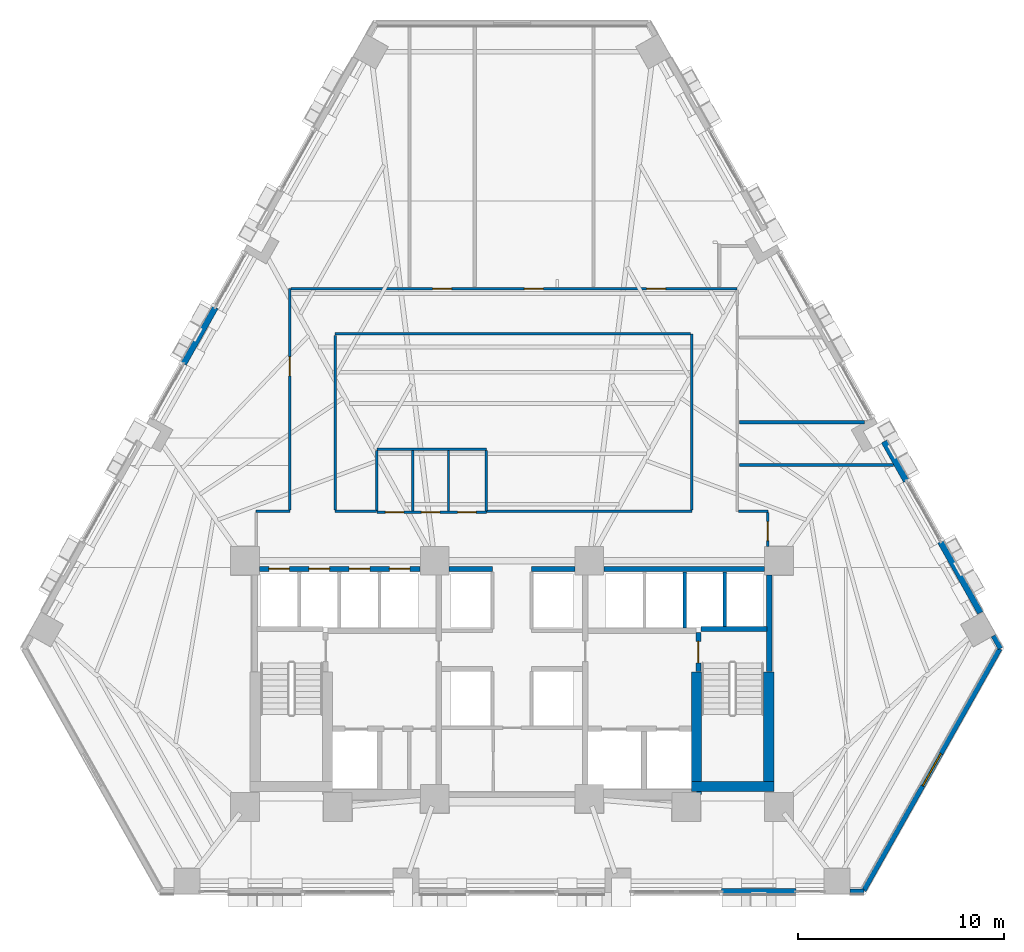
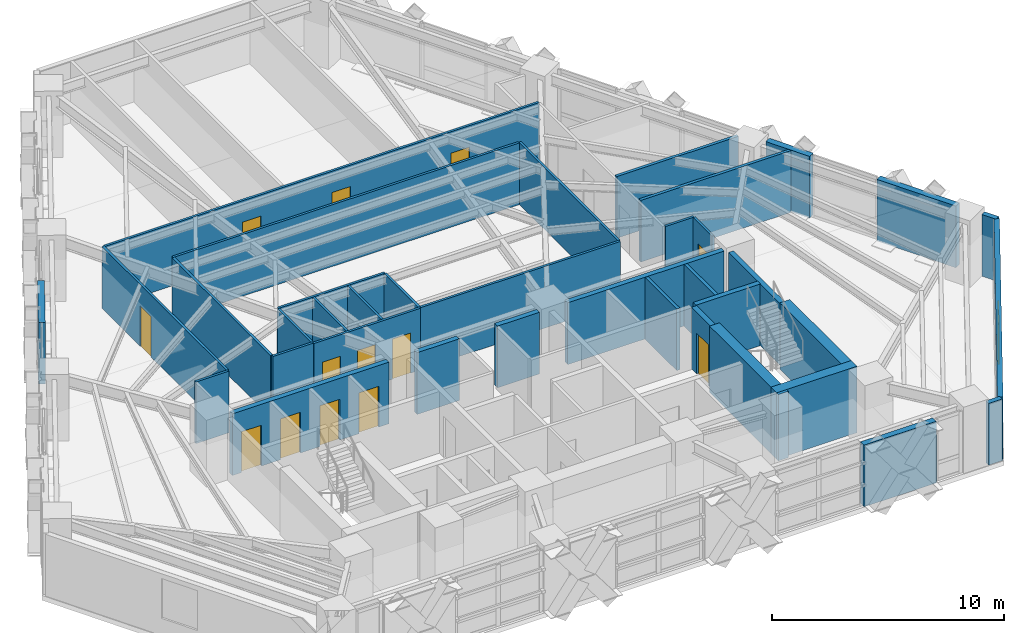
# One storey, part 8 of 13: 37 walls, 13 doors, 1 window, 14 openings.
"""IFC4 building model written with IfcOpenShell, lengths in metres."""

from ifc_helpers import new_model, si_unit, direction, frame, frame_2d, origin, place, context, subcontext, project, spatial, rectangle, extrude, material, layer, layer_set, type_object, element, fill, save


model = new_model("IFC4")

# Units and contexts
model_context = context("Model", 3, precision=1e-05, world=origin(), true_north=direction((0.0, 1.0)))
body_context = subcontext(model_context, "Body", "Model", "MODEL_VIEW")
ifc_project = project(units=[si_unit("LENGTHUNIT", "METRE"), si_unit("AREAUNIT", "SQUARE_METRE"), si_unit("VOLUMEUNIT", "CUBIC_METRE"), si_unit("PLANEANGLEUNIT", "RADIAN"), si_unit("MASSUNIT", "GRAM", prefix="KILO")], contexts=[model_context])

# Site, building, storey
site_placement = place(None, origin())
site = spatial("IfcSite", under=ifc_project, at=site_placement, CompositionType="ELEMENT")
building_placement = place(site_placement, origin())
building = spatial("IfcBuilding", under=site, at=building_placement, Name="Quenlor Broadcast Tower", CompositionType="ELEMENT")
storey_placement = place(building_placement, frame((0.0, 0.0, 31.10009765625)))
storey = spatial("IfcBuildingStorey", under=building, at=storey_placement, Name="L07", CompositionType="ELEMENT", Elevation=31.10009765625)

# Walls
ifc_material_1 = material(Name="Acoustic Double Stud Gypsum Partition", Category="other")
ifc_layer_1 = layer(ifc_material_1, 0.14990234375)
ifc_layer_set_1 = layer_set([ifc_layer_1], Name="Broadcast Studio Acoustic Partition 150")
wall_type_1 = type_object("IfcWallType", Name="Broadcast Studio Acoustic Partition 150", PredefinedType="PARTITIONING", material=ifc_layer_set_1)
wall_1_placement = place(storey_placement, frame((17.1064453125, 1.919921875, 0.0), z_axis=(0.0, 0.0, 1.0), x_axis=(-1.0, 0.0, 0.0)))
element("IfcWall", 1, at=wall_1_placement, inside=storey, type_object=wall_type_1, Name="L07 Interior Wall PW-DV-07", PredefinedType="PARTITIONING", context=body_context, shape_type="SweptSolid", body=[
    extrude(rectangle(XDim=6.071533203125, YDim=0.14990234375, at=frame_2d((3.03564453125, 0.0))), origin(), (0.0, 0.0, 1.0), 3.25),
])
wall_2_placement = place(storey_placement, frame((18.51416015625, -0.150390625, 0.0), z_axis=(0.0, 0.0, 1.0), x_axis=(-1.0, 0.0, 0.0)))
element("IfcWall", 2, at=wall_2_placement, inside=storey, type_object=wall_type_1, Name="L07 Interior Wall PW-DV-08", PredefinedType="PARTITIONING", context=body_context, shape_type="SweptSolid", body=[
    extrude(rectangle(XDim=7.479248046875, YDim=0.14990234375, at=frame_2d((3.73974609375, 0.0))), origin(), (0.0, 0.0, 1.0), 3.25),
])
ifc_material_2 = material(Name="Concrete C65/80", Category="concrete")
ifc_layer_2 = layer(ifc_material_2, 0.5)
ifc_layer_set_2 = layer_set([ifc_layer_2], Name="Core Concrete C65/80 Shear Wall 500")
wall_type_2 = type_object("IfcWallType", Name="Core Concrete C65/80 Shear Wall 500", PredefinedType="SHEAR", material=ifc_layer_set_2)
wall_3_placement = place(storey_placement, frame((8.699951171875, -15.75, 0.0), z_axis=(0.0, 0.0, 1.0), x_axis=(1.0, 0.0, 0.0)))
element("IfcWall", 3, at=wall_3_placement, inside=storey, type_object=wall_type_2, Name="L07 Core Shear Wall WS-E2", PredefinedType="SHEAR", context=body_context, shape_type="SweptSolid", body=[
    extrude(rectangle(XDim=4.0, YDim=0.5, at=frame_2d((2.0, 0.0))), origin(), (0.0, 0.0, 1.0), 3.5),
])
wall_4_placement = place(storey_placement, frame((12.449951171875, -15.75, 0.0), z_axis=(0.0, 0.0, 1.0), x_axis=(0.0, 1.0, 0.0)))
element("IfcWall", 4, at=wall_4_placement, inside=storey, type_object=wall_type_2, Name="L07 Core Shear Wall WF-E", PredefinedType="SHEAR", context=body_context, shape_type="SweptSolid", body=[
    extrude(rectangle(XDim=5.550048828125, YDim=0.5, at=frame_2d((2.77490234375, 0.0))), origin(), (0.0, 0.0, 1.0), 3.5),
])
wall_5_placement = place(storey_placement, frame((8.949951171875, -16.14990234375, 0.0), z_axis=(0.0, 0.0, 1.0), x_axis=(0.0, 1.0, 0.0)))
element("IfcWall", 5, at=wall_5_placement, inside=storey, type_object=wall_type_2, Name="L07 Core Shear Wall WI-E", PredefinedType="SHEAR", context=body_context, shape_type="SweptSolid", body=[
    extrude(rectangle(XDim=5.949951171875, YDim=0.5, at=frame_2d((2.97509765625, 0.0))), origin(), (0.0, 0.0, 1.0), 3.5),
])

# Wall, opening, door
ifc_material_3 = material(Name="Concrete C40/50", Category="concrete")
ifc_layer_3 = layer(ifc_material_3, 0.25)
ifc_layer_set_3 = layer_set([ifc_layer_3], Name="Fire Rated Concrete C40/50 Core Wall 250")
wall_type_3 = type_object("IfcWallType", Name="Fire Rated Concrete C40/50 Core Wall 250", PredefinedType="PARTITIONING", material=ifc_layer_set_3)
wall_6_placement = place(storey_placement, frame((9.0400390625, -10.179931640625, 0.0), z_axis=(0.0, 0.0, 1.0), x_axis=(0.0, 1.0, 0.0)))
wall_6 = element("IfcWall", 6, at=wall_6_placement, inside=storey, type_object=wall_type_3, Name="L07 Interior Wall CW-ST2-DR", PredefinedType="PARTITIONING", context=body_context, shape_type="SweptSolid", body=[
    extrude(rectangle(XDim=1.89990234375, YDim=0.25, at=frame_2d((0.949951171875, 0.0))), origin(), (0.0, 0.0, 1.0), 3.25),
])
opening_1_placement = place(wall_6_placement, frame((0.419921875, 0.0, 0.0)))
opening_1 = element("IfcOpeningElement", 7, at=opening_1_placement, cuts=wall_6, Name="Opening FD-1", PredefinedType="OPENING", context=body_context, shape_type="SweptSolid", body=[
    extrude(rectangle(XDim=1.050048828125, YDim=2.14990234375, at=frame_2d((0.52490234375, 1.074951171875))), frame((0.0, 0.135009765625, 0.0), z_axis=(0.0, -1.0, 0.0), x_axis=(1.0, 0.0, 0.0)), (0.0, 0.0, 1.0), 0.27001953125),
])
ifc_material_4 = material(Name="Fire Rated Steel Door Leaf", Category="steel")
door_type_1 = type_object("IfcDoorType", Name="Fire Isolated Stair Door 1050x2150", OperationType="NOTDEFINED", PredefinedType="DOOR", material=ifc_material_4)
door_1_placement = place(opening_1_placement, origin())
door_1 = element("IfcDoor", 8, at=door_1_placement, inside=storey, type_object=door_type_1, Name="L07 Door DR-ST2", OperationType="SINGLE_SWING_RIGHT", OverallHeight=2.14990234375, OverallWidth=1.050048828125, PredefinedType="DOOR", context=body_context, shape_type="SweptSolid", body=[
    extrude(rectangle(XDim=1.050048828125, YDim=2.14990234375, at=frame_2d((0.52490234375, 1.074951171875))), frame((0.0, 0.02490234375, 0.0), z_axis=(0.0, -1.0, 0.0), x_axis=(1.0, 0.0, 0.0)), (0.0, 0.0, 1.0), 0.050048828125),
])
fill(opening_1, door_1)

# Walls
wall_7_placement = place(storey_placement, frame((9.159912109375, -8.1201171875, 0.0), z_axis=(0.0, 0.0, 1.0), x_axis=(1.0, 0.0, 0.0)))
element("IfcWall", 9, at=wall_7_placement, inside=storey, type_object=wall_type_3, Name="L07 Interior Wall CW-ST2-N", PredefinedType="PARTITIONING", context=body_context, shape_type="SweptSolid", body=[
    extrude(rectangle(XDim=3.219970703125, YDim=0.25, at=frame_2d((1.60986328125, 0.0))), origin(), (0.0, 0.0, 1.0), 3.25),
])
wall_8_placement = place(storey_placement, frame((12.47998046875, -10.179931640625, 0.0), z_axis=(0.0, 0.0, 1.0), x_axis=(0.0, 1.0, 0.0)))
element("IfcWall", 10, at=wall_8_placement, inside=storey, type_object=wall_type_3, Name="L07 Interior Wall CW-ST2-E2", PredefinedType="PARTITIONING", context=body_context, shape_type="SweptSolid", body=[
    extrude(rectangle(XDim=4.677978515625, YDim=0.25, at=frame_2d((2.3388671875, 0.0))), origin(), (0.0, 0.0, 1.0), 3.25),
])

# Wall, openings, doors
wall_9_placement = place(storey_placement, frame((-12.248046875, -5.199951171875, 0.0), z_axis=(0.0, 0.0, 1.0), x_axis=(1.0, 0.0, 0.0)))
wall_9 = element("IfcWall", 11, at=wall_9_placement, inside=storey, type_object=wall_type_3, Name="L07 Interior Wall CW-N-W", PredefinedType="PARTITIONING", context=body_context, shape_type="SweptSolid", body=[
    extrude(rectangle(XDim=7.796142578125, YDim=0.25, at=frame_2d((3.89794921875, 0.0))), origin(), (0.0, 0.0, 1.0), 3.25),
])
opening_2_placement = place(wall_9_placement, frame((0.447998046875, 0.0, 0.0)))
opening_2 = element("IfcOpeningElement", 12, at=opening_2_placement, cuts=wall_9, Name="Opening LD-PL-L1", PredefinedType="OPENING", context=body_context, shape_type="SweptSolid", body=[
    extrude(rectangle(XDim=1.0, YDim=2.14990234375, at=frame_2d((0.5, 1.074951171875))), frame((0.0, 0.135009765625, 0.0), z_axis=(0.0, -1.0, 0.0), x_axis=(1.0, 0.0, 0.0)), (0.0, 0.0, 1.0), 0.27001953125),
])
opening_3_placement = place(wall_9_placement, frame((2.39794921875, 0.0, 0.0)))
opening_3 = element("IfcOpeningElement", 13, at=opening_3_placement, cuts=wall_9, Name="Opening LD-PL-L2", PredefinedType="OPENING", context=body_context, shape_type="SweptSolid", body=[
    extrude(rectangle(XDim=1.0, YDim=2.14990234375, at=frame_2d((0.5, 1.074951171875))), frame((0.0, 0.135009765625, 0.0), z_axis=(0.0, -1.0, 0.0), x_axis=(1.0, 0.0, 0.0)), (0.0, 0.0, 1.0), 0.27001953125),
])
opening_4_placement = place(wall_9_placement, frame((4.347900390625, 0.0, 0.0)))
opening_4 = element("IfcOpeningElement", 14, at=opening_4_placement, cuts=wall_9, Name="Opening LD-PL-L3", PredefinedType="OPENING", context=body_context, shape_type="SweptSolid", body=[
    extrude(rectangle(XDim=1.0, YDim=2.14990234375, at=frame_2d((0.5, 1.074951171875))), frame((0.0, 0.135009765625, 0.0), z_axis=(0.0, -1.0, 0.0), x_axis=(1.0, 0.0, 0.0)), (0.0, 0.0, 1.0), 0.27001953125),
])
opening_5_placement = place(wall_9_placement, frame((6.298095703125, 0.0, 0.0)))
opening_5 = element("IfcOpeningElement", 15, at=opening_5_placement, cuts=wall_9, Name="Opening LD-PL-L4", PredefinedType="OPENING", context=body_context, shape_type="SweptSolid", body=[
    extrude(rectangle(XDim=1.0, YDim=2.14990234375, at=frame_2d((0.5, 1.074951171875))), frame((0.0, 0.135009765625, 0.0), z_axis=(0.0, -1.0, 0.0), x_axis=(1.0, 0.0, 0.0)), (0.0, 0.0, 1.0), 0.27001953125),
])
ifc_material_5 = material(Name="Brushed Stainless Steel", Category="steel")
door_type_2 = type_object("IfcDoorType", Name="Passenger Lift Sliding Landing Door 1000x2150", OperationType="NOTDEFINED", PredefinedType="DOOR", material=ifc_material_5)
door_2_placement = place(opening_2_placement, origin())
door_2 = element("IfcDoor", 16, at=door_2_placement, inside=storey, type_object=door_type_2, Name="L07 Door LD-PL-L1", OperationType="SLIDING_TO_LEFT", OverallHeight=2.14990234375, OverallWidth=1.0, PredefinedType="DOOR", context=body_context, shape_type="SweptSolid", body=[
    extrude(rectangle(XDim=1.0, YDim=2.14990234375, at=frame_2d((0.5, 1.074951171875))), frame((0.0, 0.02490234375, 0.0), z_axis=(0.0, -1.0, 0.0), x_axis=(1.0, 0.0, 0.0)), (0.0, 0.0, 1.0), 0.050048828125),
])
fill(opening_2, door_2)
door_3_placement = place(opening_3_placement, origin())
door_3 = element("IfcDoor", 17, at=door_3_placement, inside=storey, type_object=door_type_2, Name="L07 Door LD-PL-L2", OperationType="SLIDING_TO_LEFT", OverallHeight=2.14990234375, OverallWidth=1.0, PredefinedType="DOOR", context=body_context, shape_type="SweptSolid", body=[
    extrude(rectangle(XDim=1.0, YDim=2.14990234375, at=frame_2d((0.5, 1.074951171875))), frame((0.0, 0.02490234375, 0.0), z_axis=(0.0, -1.0, 0.0), x_axis=(1.0, 0.0, 0.0)), (0.0, 0.0, 1.0), 0.050048828125),
])
fill(opening_3, door_3)
door_4_placement = place(opening_4_placement, origin())
door_4 = element("IfcDoor", 18, at=door_4_placement, inside=storey, type_object=door_type_2, Name="L07 Door LD-PL-L3", OperationType="SLIDING_TO_LEFT", OverallHeight=2.14990234375, OverallWidth=1.0, PredefinedType="DOOR", context=body_context, shape_type="SweptSolid", body=[
    extrude(rectangle(XDim=1.0, YDim=2.14990234375, at=frame_2d((0.5, 1.074951171875))), frame((0.0, 0.02490234375, 0.0), z_axis=(0.0, -1.0, 0.0), x_axis=(1.0, 0.0, 0.0)), (0.0, 0.0, 1.0), 0.050048828125),
])
fill(opening_4, door_4)
door_5_placement = place(opening_5_placement, origin())
door_5 = element("IfcDoor", 19, at=door_5_placement, inside=storey, type_object=door_type_2, Name="L07 Door LD-PL-L4", OperationType="SLIDING_TO_LEFT", OverallHeight=2.14990234375, OverallWidth=1.0, PredefinedType="DOOR", context=body_context, shape_type="SweptSolid", body=[
    extrude(rectangle(XDim=1.0, YDim=2.14990234375, at=frame_2d((0.5, 1.074951171875))), frame((0.0, 0.02490234375, 0.0), z_axis=(0.0, -1.0, 0.0), x_axis=(1.0, 0.0, 0.0)), (0.0, 0.0, 1.0), 0.050048828125),
])
fill(opening_5, door_5)

# Walls
wall_10_placement = place(storey_placement, frame((4.451904296875, -5.199951171875, 0.0), z_axis=(0.0, 0.0, 1.0), x_axis=(1.0, 0.0, 0.0)))
element("IfcWall", 20, at=wall_10_placement, inside=storey, type_object=wall_type_3, Name="L07 Interior Wall CW-N-E", PredefinedType="PARTITIONING", context=body_context, shape_type="SweptSolid", body=[
    extrude(rectangle(XDim=7.796142578125, YDim=0.25, at=frame_2d((3.89794921875, 0.0))), origin(), (0.0, 0.0, 1.0), 3.25),
])
for number, where, z_axis, x_axis, name in (
    (21, (-3.048095703125, -5.199951171875, 0.0), (0.0, 0.0, 1.0), (1.0, 0.0, 0.0), "L07 Interior Wall CW-N-M1"),
    (22, (0.949951171875, -5.199951171875, 0.0), (0.0, 0.0, 1.0), (1.0, 0.0, 0.0), "L07 Interior Wall CW-N-M2"),
):
    element("IfcWall", number, at=place(storey_placement, frame(where, z_axis=z_axis, x_axis=x_axis)), inside=storey, type_object=wall_type_3, Name=name, PredefinedType="PARTITIONING", context=body_context, shape_type="SweptSolid", body=[
        extrude(rectangle(XDim=2.09814453125, YDim=0.25, at=frame_2d((1.049072265625, 0.0))), origin(), (0.0, 0.0, 1.0), 3.25),
    ])
ifc_material_6 = material(Name="Gypsum Fireboard Partition", Category="other")
ifc_layer_4 = layer(ifc_material_6, 0.159912109375)
ifc_layer_set_4 = layer_set([ifc_layer_4], Name="Fire Rated Shaft and Corridor Partition 160")
wall_type_4 = type_object("IfcWallType", Name="Fire Rated Shaft and Corridor Partition 160", PredefinedType="PARTITIONING", material=ifc_layer_set_4)
wall_11_placement = place(storey_placement, frame((8.375, -8.072998046875, 0.0), z_axis=(0.0, 0.0, 1.0), x_axis=(0.0, 1.0, 0.0)))
element("IfcWall", 23, at=wall_11_placement, inside=storey, type_object=wall_type_4, Name="L07 Interior Wall CW-PLH-D2", PredefinedType="PARTITIONING", context=body_context, shape_type="SweptSolid", body=[
    extrude(rectangle(XDim=2.73291015625, YDim=0.159912109375, at=frame_2d((1.366455078125, 0.0))), origin(), (0.0, 0.0, 1.0), 3.25),
])
wall_12_placement = place(storey_placement, frame((10.324951171875, -7.992919921875, 0.0), z_axis=(0.0, 0.0, 1.0), x_axis=(0.0, 1.0, 0.0)))
element("IfcWall", 24, at=wall_12_placement, inside=storey, type_object=wall_type_4, Name="L07 Interior Wall CW-PLH-D3", PredefinedType="PARTITIONING", context=body_context, shape_type="SweptSolid", body=[
    extrude(rectangle(XDim=2.65283203125, YDim=0.159912109375, at=frame_2d((1.326416015625, 0.0))), origin(), (0.0, 0.0, 1.0), 3.25),
])

# Wall, openings, doors
ifc_material_7 = material(Name="Gypsum Plasterboard Partition", Category="other")
ifc_layer_5 = layer(ifc_material_7, 0.1201171875)
ifc_layer_set_5 = layer_set([ifc_layer_5], Name="Standard Office Partition 120")
wall_type_5 = type_object("IfcWallType", Name="Standard Office Partition 120", PredefinedType="PARTITIONING", material=ifc_layer_set_5)
wall_13_placement = place(storey_placement, frame((-6.56005859375, -2.43994140625, 0.0), z_axis=(0.0, 0.0, 1.0), x_axis=(1.0, 0.0, 0.0)))
wall_13 = element("IfcWall", 25, at=wall_13_placement, inside=storey, type_object=wall_type_5, Name="L07 Interior Wall PW-WC-S", PredefinedType="PARTITIONING", context=body_context, shape_type="SweptSolid", body=[
    extrude(rectangle(XDim=5.320068359375, YDim=0.1201171875, at=frame_2d((2.66015625, 0.0))), origin(), (0.0, 0.0, 1.0), 3.25),
])
opening_6_placement = place(wall_13_placement, frame((0.419921875, 0.0, 0.0)))
opening_6 = element("IfcOpeningElement", 26, at=opening_6_placement, cuts=wall_13, Name="Opening ID-3", PredefinedType="OPENING", context=body_context, shape_type="SweptSolid", body=[
    extrude(rectangle(XDim=0.89990234375, YDim=2.1201171875, at=frame_2d((0.449951171875, 1.06005859375))), frame((0.0, 0.070068359375, 0.0), z_axis=(0.0, -1.0, 0.0), x_axis=(1.0, 0.0, 0.0)), (0.0, 0.0, 1.0), 0.14013671875),
])
opening_7_placement = place(wall_13_placement, frame((2.159912109375, 0.0, 0.0)))
opening_7 = element("IfcOpeningElement", 27, at=opening_7_placement, cuts=wall_13, Name="Opening ID-3", PredefinedType="OPENING", context=body_context, shape_type="SweptSolid", body=[
    extrude(rectangle(XDim=0.89990234375, YDim=2.1201171875, at=frame_2d((0.449951171875, 1.06005859375))), frame((0.0, 0.070068359375, 0.0), z_axis=(0.0, -1.0, 0.0), x_axis=(1.0, 0.0, 0.0)), (0.0, 0.0, 1.0), 0.14013671875),
])
opening_8_placement = place(wall_13_placement, frame((3.919921875, 0.0, 0.0)))
opening_8 = element("IfcOpeningElement", 28, at=opening_8_placement, cuts=wall_13, Name="Opening ID-3", PredefinedType="OPENING", context=body_context, shape_type="SweptSolid", body=[
    extrude(rectangle(XDim=0.89990234375, YDim=2.1201171875, at=frame_2d((0.449951171875, 1.06005859375))), frame((0.0, 0.070068359375, 0.0), z_axis=(0.0, -1.0, 0.0), x_axis=(1.0, 0.0, 0.0)), (0.0, 0.0, 1.0), 0.14013671875),
])
ifc_material_8 = material(Name="Moisture Resistant Timber Oak", Category="wood")
door_type_3 = type_object("IfcDoorType", Name="Washroom Privacy Door 900x2120", OperationType="NOTDEFINED", PredefinedType="DOOR", material=ifc_material_8)
door_6_placement = place(opening_6_placement, origin())
door_6 = element("IfcDoor", 29, at=door_6_placement, inside=storey, type_object=door_type_3, Name="L07 Door DR-FWC", OperationType="SINGLE_SWING_LEFT", OverallHeight=2.1201171875, OverallWidth=0.89990234375, PredefinedType="DOOR", context=body_context, shape_type="SweptSolid", body=[
    extrude(rectangle(XDim=0.89990234375, YDim=2.1201171875, at=frame_2d((0.449951171875, 1.06005859375))), frame((0.0, 0.02490234375, 0.0), z_axis=(0.0, -1.0, 0.0), x_axis=(1.0, 0.0, 0.0)), (0.0, 0.0, 1.0), 0.050048828125),
])
fill(opening_6, door_6)
door_7_placement = place(opening_7_placement, origin())
door_7 = element("IfcDoor", 30, at=door_7_placement, inside=storey, type_object=door_type_3, Name="L07 Door DR-MWC", OperationType="SINGLE_SWING_RIGHT", OverallHeight=2.1201171875, OverallWidth=0.89990234375, PredefinedType="DOOR", context=body_context, shape_type="SweptSolid", body=[
    extrude(rectangle(XDim=0.89990234375, YDim=2.1201171875, at=frame_2d((0.449951171875, 1.06005859375))), frame((0.0, 0.02490234375, 0.0), z_axis=(0.0, -1.0, 0.0), x_axis=(1.0, 0.0, 0.0)), (0.0, 0.0, 1.0), 0.050048828125),
])
fill(opening_7, door_7)
door_8_placement = place(opening_8_placement, origin())
door_8 = element("IfcDoor", 31, at=door_8_placement, inside=storey, type_object=door_type_3, Name="L07 Door DR-AWC", OperationType="SINGLE_SWING_RIGHT", OverallHeight=2.1201171875, OverallWidth=0.89990234375, PredefinedType="DOOR", context=body_context, shape_type="SweptSolid", body=[
    extrude(rectangle(XDim=0.89990234375, YDim=2.1201171875, at=frame_2d((0.449951171875, 1.06005859375))), frame((0.0, 0.02490234375, 0.0), z_axis=(0.0, -1.0, 0.0), x_axis=(1.0, 0.0, 0.0)), (0.0, 0.0, 1.0), 0.050048828125),
])
fill(opening_8, door_8)

# Walls
wall_14_placement = place(storey_placement, frame((-6.56005859375, 0.610107421875, 0.0), z_axis=(0.0, 0.0, 1.0), x_axis=(1.0, 0.0, 0.0)))
element("IfcWall", 32, at=wall_14_placement, inside=storey, type_object=wall_type_5, Name="L07 Interior Wall PW-WC-N", PredefinedType="PARTITIONING", context=body_context, shape_type="SweptSolid", body=[
    extrude(rectangle(XDim=5.320068359375, YDim=0.1201171875, at=frame_2d((2.66015625, 0.0))), origin(), (0.0, 0.0, 1.0), 3.25),
])
for number, where, z_axis, x_axis, name in (
    (33, (-6.56005859375, -2.3779296875, 0.0), (0.0, 0.0, 1.0), (0.0, 1.0, 0.0), "L07 Interior Wall PW-WC-W"),
    (34, (-4.820068359375, -2.3779296875, 0.0), (0.0, 0.0, 1.0), (0.0, 1.0, 0.0), "L07 Interior Wall PW-WC-M1"),
    (35, (-3.080078125, -2.3779296875, 0.0), (0.0, 0.0, 1.0), (0.0, 1.0, 0.0), "L07 Interior Wall PW-WC-M2"),
    (36, (-1.239990234375, -2.3779296875, 0.0), (0.0, 0.0, 1.0), (0.0, 1.0, 0.0), "L07 Interior Wall PW-WC-E"),
):
    element("IfcWall", number, at=place(storey_placement, frame(where, z_axis=z_axis, x_axis=x_axis)), inside=storey, type_object=wall_type_5, Name=name, PredefinedType="PARTITIONING", context=body_context, shape_type="SweptSolid", body=[
        extrude(rectangle(XDim=2.926025390625, YDim=0.1201171875, at=frame_2d((1.462890625, 0.0))), origin(), (0.0, 0.0, 1.0), 3.25),
    ])
wall_15_placement = place(storey_placement, frame((-12.409912109375, -2.39990234375, 0.0), z_axis=(0.0, 0.0, 1.0), x_axis=(1.0, 0.0, 0.0)))
element("IfcWall", 37, at=wall_15_placement, inside=storey, type_object=wall_type_5, Name="L07 Interior Wall PW-CR-01", PredefinedType="PARTITIONING", context=body_context, shape_type="SweptSolid", body=[
    extrude(rectangle(XDim=1.635009765625, YDim=0.1201171875, at=frame_2d((0.8173828125, 0.0))), origin(), (0.0, 0.0, 1.0), 3.25),
])

# Wall, opening, door
wall_16_placement = place(storey_placement, frame((-10.77490234375, -2.337890625, 0.0), z_axis=(0.0, 0.0, 1.0), x_axis=(0.0, 1.0, 0.0)))
wall_16 = element("IfcWall", 38, at=wall_16_placement, inside=storey, type_object=wall_type_5, Name="L07 Interior Wall PW-CR-02", PredefinedType="PARTITIONING", context=body_context, shape_type="SweptSolid", body=[
    extrude(rectangle(XDim=10.73779296875, YDim=0.1201171875, at=frame_2d((5.368896484375, 0.0))), origin(), (0.0, 0.0, 1.0), 3.25),
])
opening_9_placement = place(wall_16_placement, frame((6.509033203125, 0.0, 0.0)))
opening_9 = element("IfcOpeningElement", 39, at=opening_9_placement, cuts=wall_16, Name="Opening ID-1", PredefinedType="OPENING", context=body_context, shape_type="SweptSolid", body=[
    extrude(rectangle(XDim=0.919921875, YDim=2.1201171875, at=frame_2d((0.4599609375, 1.06005859375))), frame((0.0, 0.070068359375, 0.0), z_axis=(0.0, -1.0, 0.0), x_axis=(1.0, 0.0, 0.0)), (0.0, 0.0, 1.0), 0.14013671875),
])
ifc_material_9 = material(Name="Solid Core Timber Oak", Category="wood")
door_type_4 = type_object("IfcDoorType", Name="Single Leaf Timber Office Door 920x2120", OperationType="NOTDEFINED", PredefinedType="DOOR", material=ifc_material_9)
door_9_placement = place(opening_9_placement, origin())
door_9 = element("IfcDoor", 40, at=door_9_placement, inside=storey, type_object=door_type_4, Name="L07 Door DR-RM04", OperationType="SINGLE_SWING_RIGHT", OverallHeight=2.1201171875, OverallWidth=0.919921875, PredefinedType="DOOR", context=body_context, shape_type="SweptSolid", body=[
    extrude(rectangle(XDim=0.919921875, YDim=2.1201171875, at=frame_2d((0.4599609375, 1.06005859375))), frame((0.0, 0.02490234375, 0.0), z_axis=(0.0, -1.0, 0.0), x_axis=(1.0, 0.0, 0.0)), (0.0, 0.0, 1.0), 0.050048828125),
])
fill(opening_9, door_9)

# Wall, openings, doors
wall_17_placement = place(storey_placement, frame((-10.712890625, 8.39990234375, 0.0), z_axis=(0.0, 0.0, 1.0), x_axis=(1.0, 0.0, 0.0)))
wall_17 = element("IfcWall", 41, at=wall_17_placement, inside=storey, type_object=wall_type_5, Name="L07 Interior Wall PW-CR-03", PredefinedType="PARTITIONING", context=body_context, shape_type="SweptSolid", body=[
    extrude(rectangle(XDim=21.637939453125, YDim=0.1201171875, at=frame_2d((10.81884765625, 0.0))), origin(), (0.0, 0.0, 1.0), 3.25),
])
opening_10_placement = place(wall_17_placement, frame((6.860107421875, 0.0, 0.0)))
opening_10 = element("IfcOpeningElement", 42, at=opening_10_placement, cuts=wall_17, Name="Opening ID-1", PredefinedType="OPENING", context=body_context, shape_type="SweptSolid", body=[
    extrude(rectangle(XDim=0.919921875, YDim=2.1201171875, at=frame_2d((0.4599609375, 1.06005859375))), frame((0.0, 0.070068359375, 0.0), z_axis=(0.0, -1.0, 0.0), x_axis=(1.0, 0.0, 0.0)), (0.0, 0.0, 1.0), 0.14013671875),
])
opening_11_placement = place(wall_17_placement, frame((11.31005859375, 0.0, 0.0)))
opening_11 = element("IfcOpeningElement", 43, at=opening_11_placement, cuts=wall_17, Name="Opening ID-1", PredefinedType="OPENING", context=body_context, shape_type="SweptSolid", body=[
    extrude(rectangle(XDim=0.919921875, YDim=2.1201171875, at=frame_2d((0.4599609375, 1.06005859375))), frame((0.0, 0.070068359375, 0.0), z_axis=(0.0, -1.0, 0.0), x_axis=(1.0, 0.0, 0.0)), (0.0, 0.0, 1.0), 0.14013671875),
])
opening_12_placement = place(wall_17_placement, frame((17.242919921875, 0.0, 0.0)))
opening_12 = element("IfcOpeningElement", 44, at=opening_12_placement, cuts=wall_17, Name="Opening ID-1", PredefinedType="OPENING", context=body_context, shape_type="SweptSolid", body=[
    extrude(rectangle(XDim=0.919921875, YDim=2.1201171875, at=frame_2d((0.4599609375, 1.06005859375))), frame((0.0, 0.070068359375, 0.0), z_axis=(0.0, -1.0, 0.0), x_axis=(1.0, 0.0, 0.0)), (0.0, 0.0, 1.0), 0.14013671875),
])
door_10_placement = place(opening_10_placement, origin())
door_10 = element("IfcDoor", 45, at=door_10_placement, inside=storey, type_object=door_type_4, Name="L07 Door DR-RM01", OperationType="SINGLE_SWING_LEFT", OverallHeight=2.1201171875, OverallWidth=0.919921875, PredefinedType="DOOR", context=body_context, shape_type="SweptSolid", body=[
    extrude(rectangle(XDim=0.919921875, YDim=2.1201171875, at=frame_2d((0.4599609375, 1.06005859375))), frame((0.0, 0.02490234375, 0.0), z_axis=(0.0, -1.0, 0.0), x_axis=(1.0, 0.0, 0.0)), (0.0, 0.0, 1.0), 0.050048828125),
])
fill(opening_10, door_10)
door_11_placement = place(opening_11_placement, origin())
door_11 = element("IfcDoor", 46, at=door_11_placement, inside=storey, type_object=door_type_4, Name="L07 Door DR-RM02", OperationType="SINGLE_SWING_RIGHT", OverallHeight=2.1201171875, OverallWidth=0.919921875, PredefinedType="DOOR", context=body_context, shape_type="SweptSolid", body=[
    extrude(rectangle(XDim=0.919921875, YDim=2.1201171875, at=frame_2d((0.4599609375, 1.06005859375))), frame((0.0, 0.02490234375, 0.0), z_axis=(0.0, -1.0, 0.0), x_axis=(1.0, 0.0, 0.0)), (0.0, 0.0, 1.0), 0.050048828125),
])
fill(opening_11, door_11)
door_12_placement = place(opening_12_placement, origin())
door_12 = element("IfcDoor", 47, at=door_12_placement, inside=storey, type_object=door_type_4, Name="L07 Door DR-RM03", OperationType="SINGLE_SWING_LEFT", OverallHeight=2.1201171875, OverallWidth=0.919921875, PredefinedType="DOOR", context=body_context, shape_type="SweptSolid", body=[
    extrude(rectangle(XDim=0.919921875, YDim=2.1201171875, at=frame_2d((0.4599609375, 1.06005859375))), frame((0.0, 0.02490234375, 0.0), z_axis=(0.0, -1.0, 0.0), x_axis=(1.0, 0.0, 0.0)), (0.0, 0.0, 1.0), 0.050048828125),
])
fill(opening_12, door_12)

# Wall
wall_18_placement = place(storey_placement, frame((10.987060546875, -2.39990234375, 0.0), z_axis=(0.0, 0.0, 1.0), x_axis=(1.0, 0.0, 0.0)))
element("IfcWall", 48, at=wall_18_placement, inside=storey, type_object=wall_type_5, Name="L07 Interior Wall PW-CR-05", PredefinedType="PARTITIONING", context=body_context, shape_type="SweptSolid", body=[
    extrude(rectangle(XDim=1.4228515625, YDim=0.1201171875, at=frame_2d((0.71142578125, 0.0))), origin(), (0.0, 0.0, 1.0), 3.25),
])

# Wall, opening, door
wall_19_placement = place(storey_placement, frame((12.409912109375, -2.4619140625, 0.0), z_axis=(0.0, 0.0, 1.0), x_axis=(0.0, -1.0, 0.0)))
wall_19 = element("IfcWall", 49, at=wall_19_placement, inside=storey, type_object=wall_type_5, Name="L07 Interior Wall PW-CR-06", PredefinedType="PARTITIONING", context=body_context, shape_type="SweptSolid", body=[
    extrude(rectangle(XDim=1.635986328125, YDim=0.1201171875, at=frame_2d((0.81787109375, 0.0))), origin(), (0.0, 0.0, 1.0), 3.25),
])
opening_13_placement = place(wall_19_placement, frame((0.443115234375, 0.0, 0.0)))
opening_13 = element("IfcOpeningElement", 50, at=opening_13_placement, cuts=wall_19, Name="Opening ID-1", PredefinedType="OPENING", context=body_context, shape_type="SweptSolid", body=[
    extrude(rectangle(XDim=0.919921875, YDim=2.1201171875, at=frame_2d((0.4599609375, 1.06005859375))), frame((0.0, 0.070068359375, 0.0), z_axis=(0.0, -1.0, 0.0), x_axis=(1.0, 0.0, 0.0)), (0.0, 0.0, 1.0), 0.14013671875),
])
door_13_placement = place(opening_13_placement, origin())
door_13 = element("IfcDoor", 51, at=door_13_placement, inside=storey, type_object=door_type_4, Name="L07 Door DR-RM08", OperationType="SINGLE_SWING_RIGHT", OverallHeight=2.1201171875, OverallWidth=0.919921875, PredefinedType="DOOR", context=body_context, shape_type="SweptSolid", body=[
    extrude(rectangle(XDim=0.919921875, YDim=2.1201171875, at=frame_2d((0.4599609375, 1.06005859375))), frame((0.0, 0.02490234375, 0.0), z_axis=(0.0, -1.0, 0.0), x_axis=(1.0, 0.0, 0.0)), (0.0, 0.0, 1.0), 0.050048828125),
])
fill(opening_13, door_13)

# Walls
wall_20_placement = place(storey_placement, frame((-8.574951171875, -2.39990234375, 0.0), z_axis=(0.0, 0.0, 1.0), x_axis=(1.0, 0.0, 0.0)))
element("IfcWall", 52, at=wall_20_placement, inside=storey, type_object=wall_type_5, Name="L07 Interior Wall PW-CR-08", PredefinedType="PARTITIONING", context=body_context, shape_type="SweptSolid", body=[
    extrude(rectangle(XDim=2.012939453125, YDim=0.1201171875, at=frame_2d((1.00634765625, 0.0))), origin(), (0.0, 0.0, 1.0), 3.25),
])
wall_21_placement = place(storey_placement, frame((-1.238037109375, -2.39990234375, 0.0), z_axis=(0.0, 0.0, 1.0), x_axis=(1.0, 0.0, 0.0)))
element("IfcWall", 53, at=wall_21_placement, inside=storey, type_object=wall_type_5, Name="L07 Interior Wall PW-CR-08S2", PredefinedType="PARTITIONING", context=body_context, shape_type="SweptSolid", body=[
    extrude(rectangle(XDim=9.963134765625, YDim=0.1201171875, at=frame_2d((4.9814453125, 0.0))), origin(), (0.0, 0.0, 1.0), 3.25),
])
wall_22_placement = place(storey_placement, frame((8.72509765625, -2.337890625, 0.0), z_axis=(0.0, 0.0, 1.0), x_axis=(0.0, 1.0, 0.0)))
element("IfcWall", 54, at=wall_22_placement, inside=storey, type_object=wall_type_5, Name="L07 Interior Wall PW-CR-09", PredefinedType="PARTITIONING", context=body_context, shape_type="SweptSolid", body=[
    extrude(rectangle(XDim=8.537841796875, YDim=0.1201171875, at=frame_2d((4.26904296875, 0.0))), origin(), (0.0, 0.0, 1.0), 3.25),
])
wall_23_placement = place(storey_placement, frame((8.6630859375, 6.199951171875, 0.0), z_axis=(0.0, 0.0, 1.0), x_axis=(-1.0, 0.0, 0.0)))
element("IfcWall", 55, at=wall_23_placement, inside=storey, type_object=wall_type_5, Name="L07 Interior Wall PW-CR-10", PredefinedType="PARTITIONING", context=body_context, shape_type="SweptSolid", body=[
    extrude(rectangle(XDim=17.238037109375, YDim=0.1201171875, at=frame_2d((8.619140625, 0.0))), origin(), (0.0, 0.0, 1.0), 3.25),
])
wall_24_placement = place(storey_placement, frame((-8.574951171875, 6.137939453125, 0.0), z_axis=(0.0, 0.0, 1.0), x_axis=(0.0, -1.0, 0.0)))
element("IfcWall", 56, at=wall_24_placement, inside=storey, type_object=wall_type_5, Name="L07 Interior Wall PW-CR-11", PredefinedType="PARTITIONING", context=body_context, shape_type="SweptSolid", body=[
    extrude(rectangle(XDim=8.475830078125, YDim=0.1201171875, at=frame_2d((4.23779296875, 0.0))), origin(), (0.0, 0.0, 1.0), 3.25),
])
ifc_material_10 = material(Name="Precast concrete C40/50", Category="concrete")
ifc_layer_6 = layer(ifc_material_10, 0.239990234375)
ifc_layer_set_6 = layer_set([ifc_layer_6], Name="Terrace Threshold Precast Concrete C40/50 Wall 240")
wall_type_6 = type_object("IfcWallType", Name="Terrace Threshold Precast Concrete C40/50 Wall 240", PredefinedType="STANDARD", material=ifc_layer_set_6)
wall_25_placement = place(storey_placement, frame((17.075927734375, -20.840087890625, 0.0), z_axis=(0.0, 0.0, 1.0), x_axis=(-1.0, 0.0, 0.0)))
element("IfcWall", 57, at=wall_25_placement, inside=storey, type_object=wall_type_6, Name="L07 Exterior Wall L07-SHD-SS0", PredefinedType="STANDARD", context=body_context, shape_type="SweptSolid", body=[
    extrude(rectangle(XDim=0.680908203125, YDim=0.239990234375, at=frame_2d((0.34033203125, 0.0))), origin(), (0.0, 0.0, 1.0), 3.25),
])
wall_26_placement = place(storey_placement, frame((23.351806640625, -8.44091796875, 0.0), z_axis=(0.0, 0.0, 1.0), x_axis=(0.490523074758, -0.871428203084, 0.0)))
element("IfcWall", 58, at=wall_26_placement, inside=storey, type_object=wall_type_6, Name="L07 Exterior Wall L07-SHD-NES1", PredefinedType="STANDARD", context=body_context, shape_type="SweptSolid", body=[
    extrude(rectangle(XDim=0.708251953125, YDim=0.239990234375, at=frame_2d((0.35400390625, 0.0))), origin(), (0.0, 0.0, 1.0), 3.25),
])

# Wall, opening, window
wall_27_placement = place(storey_placement, frame((17.06689453125, -20.79638671875, 0.0), z_axis=(0.0, 0.0, 1.0), x_axis=(0.490268135177, 0.871571658345, 0.0)))
wall_27 = element("IfcWall", 59, at=wall_27_placement, inside=storey, type_object=wall_type_6, Name="L07 Exterior Wall L07-CNR-06", PredefinedType="STANDARD", context=body_context, shape_type="SweptSolid", body=[
    extrude(rectangle(XDim=13.44775390625, YDim=0.239990234375, at=frame_2d((6.723876953125, 0.0))), origin(), (0.0, 0.0, 1.0), 3.25),
])
opening_14_placement = place(wall_27_placement, frame((5.823974609375, 0.0, 0.89990234375)))
opening_14 = element("IfcOpeningElement", 60, at=opening_14_placement, cuts=wall_27, Name="Opening WN-1", PredefinedType="OPENING", context=body_context, shape_type="SweptSolid", body=[
    extrude(rectangle(XDim=1.800048828125, YDim=2.10009765625, at=frame_2d((0.89990234375, 1.050048828125))), frame((0.0, 0.1298828125, 0.0), z_axis=(0.0, -1.0, 0.0), x_axis=(1.0, 0.0, 0.0)), (0.0, 0.0, 1.0), 0.260009765625),
])
ifc_material_11 = material(Name="Thermally Broken Aluminium and Low-E Glass", Category="aluminium")
window_type = type_object("IfcWindowType", Name="Tower Acoustic Vision Window 1800x2100", PartitioningType="SINGLE_PANEL", PredefinedType="WINDOW", material=ifc_material_11)
window_placement = place(opening_14_placement, origin())
window = element("IfcWindow", 61, at=window_placement, inside=storey, type_object=window_type, Name="L07 Corner Chamfer Window 6", OverallHeight=2.10009765625, OverallWidth=1.800048828125, PartitioningType="SINGLE_PANEL", PredefinedType="WINDOW", context=body_context, shape_type="SweptSolid", body=[
    extrude(rectangle(XDim=1.800048828125, YDim=2.10009765625, at=frame_2d((0.89990234375, 1.050048828125))), frame((0.0, 0.030029296875, 0.0), z_axis=(0.0, -1.0, 0.0), x_axis=(1.0, 0.0, 0.0)), (0.0, 0.0, 1.0), 0.06005859375),
])
fill(opening_14, window)

# Walls
ifc_material_12 = material(Name="Precast concrete C40/50", Category="concrete")
ifc_layer_7 = layer(ifc_material_12, 0.300048828125)
ifc_layer_set_7 = layer_set([ifc_layer_7], Name="Terracotta Precast Concrete C40/50 Spandrel Wall 300")
wall_type_7 = type_object("IfcWallType", Name="Terracotta Precast Concrete C40/50 Spandrel Wall 300", PredefinedType="STANDARD", material=ifc_layer_set_7)
wall_28_placement = place(storey_placement, frame((13.766845703125, -20.840087890625, 0.0), z_axis=(0.0, 0.0, 1.0), x_axis=(-1.0, 0.0, 0.0)))
element("IfcWall", 62, at=wall_28_placement, inside=storey, type_object=wall_type_7, Name="L07 Exterior Wall L07-SA-SP1", PredefinedType="STANDARD", context=body_context, shape_type="SweptSolid", body=[
    extrude(rectangle(XDim=3.592041015625, YDim=0.300048828125, at=frame_2d((1.7958984375, 0.0))), origin(), (0.0, 0.0, 1.0), 3.25),
])
wall_29_placement = place(storey_placement, frame((18.049560546875, 0.985595703125, 0.0), z_axis=(0.0, 0.0, 1.0), x_axis=(0.490277063651, -0.871566635925, 0.0)))
element("IfcWall", 63, at=wall_29_placement, inside=storey, type_object=wall_type_7, Name="L07 Exterior Wall L07-NEC-SP1", PredefinedType="STANDARD", context=body_context, shape_type="SweptSolid", body=[
    extrude(rectangle(XDim=2.197509765625, YDim=0.300048828125, at=frame_2d((1.0986328125, 0.0))), origin(), (0.0, 0.0, 1.0), 3.25),
])
wall_30_placement = place(storey_placement, frame((20.784423828125, -3.87646484375, 0.0), z_axis=(0.0, 0.0, 1.0), x_axis=(0.490267098362, -0.871572241563, 0.0)))
element("IfcWall", 64, at=wall_30_placement, inside=storey, type_object=wall_type_7, Name="L07 Exterior Wall L07-NEC-SP2", PredefinedType="STANDARD", context=body_context, shape_type="SweptSolid", body=[
    extrude(rectangle(XDim=3.956787109375, YDim=0.300048828125, at=frame_2d((1.978515625, 0.0))), origin(), (0.0, 0.0, 1.0), 3.25),
])
wall_31_placement = place(storey_placement, frame((-15.93017578125, 4.75341796875, 0.0), z_axis=(0.0, 0.0, 1.0), x_axis=(0.490290775148, 0.871558922738, 0.0)))
element("IfcWall", 65, at=wall_31_placement, inside=storey, type_object=wall_type_7, Name="L07 Exterior Wall L07-NW-SP1", PredefinedType="STANDARD", context=body_context, shape_type="SweptSolid", body=[
    extrude(rectangle(XDim=3.1396484375, YDim=0.300048828125, at=frame_2d((1.56982421875, 0.0))), origin(), (0.0, 0.0, 1.0), 3.25),
])

save(model, "model.ifc")
